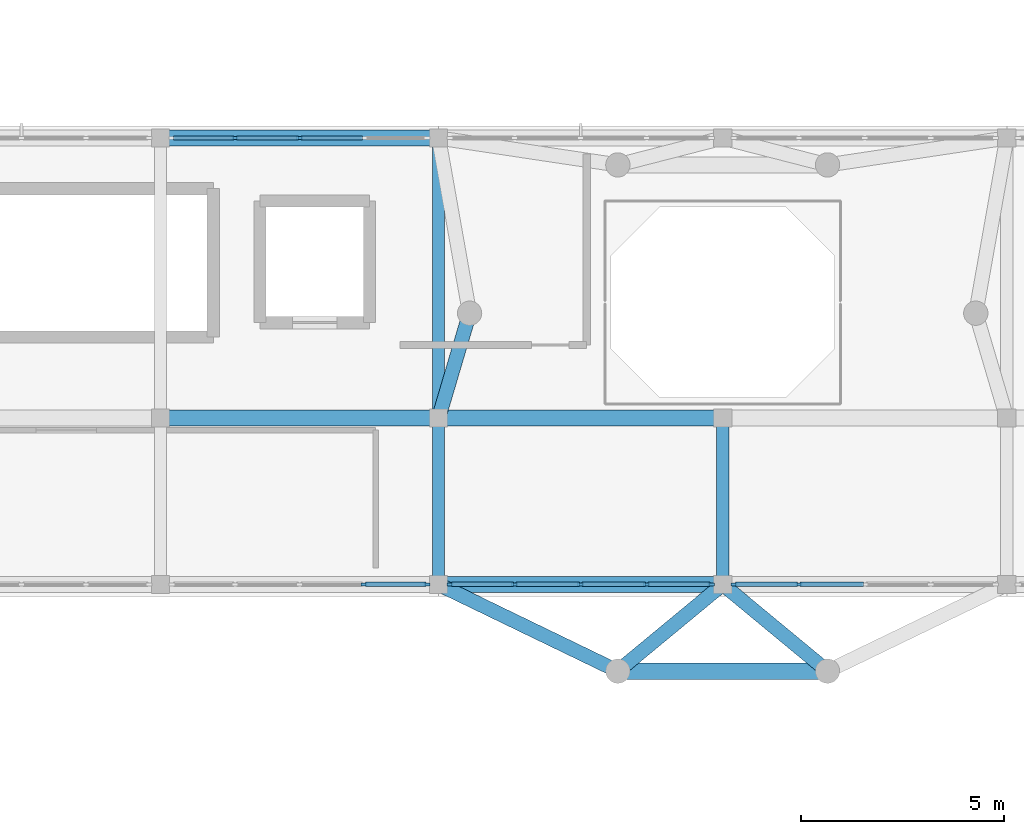
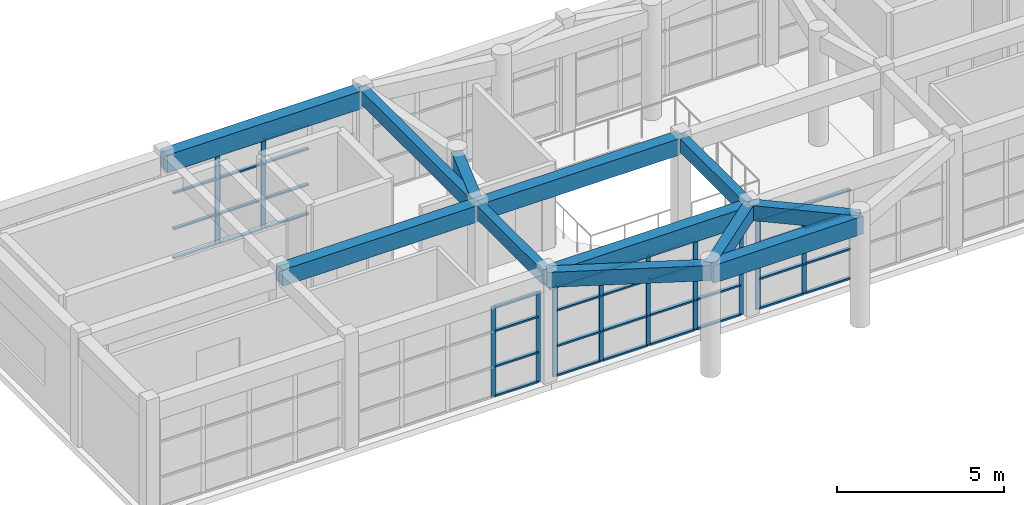
# One storey, part 5 of 66: 51 members, 12 beams, 4 elements without a shape of their own.
"""IFC4 building model written with IfcOpenShell, lengths in metres."""

from ifc_helpers import new_model, si_unit, direction, frame, origin, origin_2d, place, context, subcontext, project, spatial, rectangle, extrude, material, layer, layer_set, material_profile, profile_set, type_object, element, aggregate, save


model = new_model("IFC4")

# Units and contexts
model_context = context("Model", 3, precision=1e-05, world=origin(), true_north=direction((0.0, 1.0)))
body_context = subcontext(model_context, "Body", "Model", "MODEL_VIEW")
ifc_project = project(units=[si_unit("LENGTHUNIT", "METRE"), si_unit("AREAUNIT", "SQUARE_METRE"), si_unit("VOLUMEUNIT", "CUBIC_METRE"), si_unit("PLANEANGLEUNIT", "RADIAN"), si_unit("MASSUNIT", "GRAM", prefix="KILO")], contexts=[model_context])

# Site, building, storey
site_placement = place(None, origin())
site = spatial("IfcSite", under=ifc_project, at=site_placement, CompositionType="ELEMENT")
building_placement = place(site_placement, origin())
building = spatial("IfcBuilding", under=site, at=building_placement, Name="Candilejo Ridge Gondola Terminal", CompositionType="ELEMENT")
storey_placement = place(building_placement, frame((0.0, 0.0, 14.39990234375)))
storey = spatial("IfcBuildingStorey", under=building, at=storey_placement, Name="L03", CompositionType="ELEMENT", Elevation=14.39990234375)

# Curtain wall, members
ifc_material_1 = material(Name="Anodised aluminium AA 6063-T6", Category="aluminium")
ifc_layer_1 = layer(ifc_material_1, 0.169921875)
ifc_layer_set_1 = layer_set([ifc_layer_1], Name="ARC-CW-DRUM-3400-635X329")
curtain_wall_type_1 = type_object("IfcCurtainWallType", Name="ARC-CW-DRUM-3400-635X329", PredefinedType="NOTDEFINED", material=ifc_layer_set_1)
curtain_wall_1_placement = place(storey_placement, origin())
curtain_wall_1 = element("IfcCurtainWall", 1, at=curtain_wall_1_placement, inside=storey, type_object=curtain_wall_type_1, Name="Curtain wall V2 L03-060", PredefinedType="NOTDEFINED")
ifc_material_2 = material(Name="Anodised aluminium AA 6063-T6", Category="aluminium")
ifc_material_profile_1 = material_profile(ifc_material_2, rectangle(XDim=0.06494140625, YDim=0.14990234375, at=origin_2d()))
ifc_profile_set_1 = profile_set([ifc_material_profile_1], Name="Anodised aluminium AA 6063-T6")
member_type_1 = type_object("IfcMemberType", Name="ARC-CW-MULLION-150", PredefinedType="MULLION", material=ifc_profile_set_1)
member_1_placement = place(storey_placement, frame((53.33740234375, 36.699951171875, 0.0), z_axis=(0.0, 0.0, 1.0), x_axis=(0.0, 1.0, 0.0)))
member_1 = element("IfcMember", 2, at=member_1_placement, type_object=member_type_1, Name="CW-63X32 mullion 2", PredefinedType="MULLION", context=body_context, shape_type="SweptSolid", body=[
    extrude(rectangle(XDim=0.06494140625, YDim=0.14990234375, at=origin_2d()), origin(), (0.0, 0.0, 1.0), 3.2900390625),
])
member_2_placement = place(storey_placement, frame((54.925048828125, 36.699951171875, 0.0), z_axis=(0.0, 0.0, 1.0), x_axis=(0.0, 1.0, 0.0)))
member_2 = element("IfcMember", 3, at=member_2_placement, type_object=member_type_1, Name="CW-63X32 mullion 3", PredefinedType="MULLION", context=body_context, shape_type="SweptSolid", body=[
    extrude(rectangle(XDim=0.06494140625, YDim=0.14990234375, at=origin_2d()), origin(), (0.0, 0.0, 1.0), 3.2900390625),
])

curtain_wall_2_placement = place(storey_placement, origin())
curtain_wall_2 = element("IfcCurtainWall", 4, at=curtain_wall_2_placement, inside=storey, type_object=curtain_wall_type_1, Name="Curtain wall V2 L03-061", PredefinedType="NOTDEFINED")
member_3_placement = place(storey_placement, frame((56.512451171875, 25.699951171875, 0.0), z_axis=(0.0, 0.0, 1.0), x_axis=(0.0, 1.0, 0.0)))
member_3 = element("IfcMember", 5, at=member_3_placement, type_object=member_type_1, Name="CW-63X32 mullion 4", PredefinedType="MULLION", context=body_context, shape_type="SweptSolid", body=[
    extrude(rectangle(XDim=0.06494140625, YDim=0.14990234375, at=origin_2d()), origin(), (0.0, 0.0, 1.0), 3.2900390625),
])
member_4_placement = place(storey_placement, frame((58.0673828125, 25.699951171875, 0.0), z_axis=(0.0, 0.0, 1.0), x_axis=(0.0, 1.0, 0.0)))
member_4 = element("IfcMember", 6, at=member_4_placement, type_object=member_type_1, Name="CW-63X32 mullion 5", PredefinedType="MULLION", context=body_context, shape_type="SweptSolid", body=[
    extrude(rectangle(XDim=0.06494140625, YDim=0.14990234375, at=origin_2d()), origin(), (0.0, 0.0, 1.0), 3.2900390625),
])

ifc_material_3 = material(Name="Anodised aluminium AA 6063-T6", Category="aluminium")
ifc_layer_2 = layer(ifc_material_3, 0.169921875)
ifc_layer_set_2 = layer_set([ifc_layer_2], Name="ARC-CW-DRUM-3400-650X329")
curtain_wall_type_2 = type_object("IfcCurtainWallType", Name="ARC-CW-DRUM-3400-650X329", PredefinedType="NOTDEFINED", material=ifc_layer_set_2)
curtain_wall_3_placement = place(storey_placement, origin())
curtain_wall_3 = element("IfcCurtainWall", 7, at=curtain_wall_3_placement, inside=storey, type_object=curtain_wall_type_2, Name="Curtain wall V2 L03-063", PredefinedType="NOTDEFINED")
member_5_placement = place(storey_placement, frame((58.632568359375, 25.699951171875, 0.0), z_axis=(0.0, 0.0, 1.0), x_axis=(0.0, 1.0, 0.0)))
member_5 = element("IfcMember", 8, at=member_5_placement, type_object=member_type_1, Name="CW-65X32 mullion 1", PredefinedType="MULLION", context=body_context, shape_type="SweptSolid", body=[
    extrude(rectangle(XDim=0.06494140625, YDim=0.14990234375, at=origin_2d()), origin(), (0.0, 0.0, 1.0), 3.2900390625),
])
member_6_placement = place(storey_placement, frame((60.22509765625, 25.699951171875, 0.0), z_axis=(0.0, 0.0, 1.0), x_axis=(0.0, 1.0, 0.0)))
member_6 = element("IfcMember", 9, at=member_6_placement, type_object=member_type_1, Name="CW-65X32 mullion 2", PredefinedType="MULLION", context=body_context, shape_type="SweptSolid", body=[
    extrude(rectangle(XDim=0.06494140625, YDim=0.14990234375, at=origin_2d()), origin(), (0.0, 0.0, 1.0), 3.2900390625),
])
member_7_placement = place(storey_placement, frame((61.85009765625, 25.699951171875, 0.0), z_axis=(0.0, 0.0, 1.0), x_axis=(0.0, 1.0, 0.0)))
member_7 = element("IfcMember", 10, at=member_7_placement, type_object=member_type_1, Name="CW-65X32 mullion 3", PredefinedType="MULLION", context=body_context, shape_type="SweptSolid", body=[
    extrude(rectangle(XDim=0.06494140625, YDim=0.14990234375, at=origin_2d()), origin(), (0.0, 0.0, 1.0), 3.2900390625),
])
member_8_placement = place(storey_placement, frame((63.47509765625, 25.699951171875, 0.0), z_axis=(0.0, 0.0, 1.0), x_axis=(0.0, 1.0, 0.0)))
member_8 = element("IfcMember", 11, at=member_8_placement, type_object=member_type_1, Name="CW-65X32 mullion 4", PredefinedType="MULLION", context=body_context, shape_type="SweptSolid", body=[
    extrude(rectangle(XDim=0.06494140625, YDim=0.14990234375, at=origin_2d()), origin(), (0.0, 0.0, 1.0), 3.2900390625),
])
member_9_placement = place(storey_placement, frame((65.0673828125, 25.699951171875, 0.0), z_axis=(0.0, 0.0, 1.0), x_axis=(0.0, 1.0, 0.0)))
member_9 = element("IfcMember", 12, at=member_9_placement, type_object=member_type_1, Name="CW-65X32 mullion 5", PredefinedType="MULLION", context=body_context, shape_type="SweptSolid", body=[
    extrude(rectangle(XDim=0.06494140625, YDim=0.14990234375, at=origin_2d()), origin(), (0.0, 0.0, 1.0), 3.2900390625),
])

curtain_wall_4_placement = place(storey_placement, origin())
curtain_wall_4 = element("IfcCurtainWall", 13, at=curtain_wall_4_placement, inside=storey, type_object=curtain_wall_type_2, Name="Curtain wall V2 L03-065", PredefinedType="NOTDEFINED")
member_10_placement = place(storey_placement, frame((65.632568359375, 25.699951171875, 0.0), z_axis=(0.0, 0.0, 1.0), x_axis=(0.0, 1.0, 0.0)))
member_10 = element("IfcMember", 14, at=member_10_placement, type_object=member_type_1, Name="CW-65X32 mullion 1", PredefinedType="MULLION", context=body_context, shape_type="SweptSolid", body=[
    extrude(rectangle(XDim=0.06494140625, YDim=0.14990234375, at=origin_2d()), origin(), (0.0, 0.0, 1.0), 3.2900390625),
])
member_11_placement = place(storey_placement, frame((67.22509765625, 25.699951171875, 0.0), z_axis=(0.0, 0.0, 1.0), x_axis=(0.0, 1.0, 0.0)))
member_11 = element("IfcMember", 15, at=member_11_placement, type_object=member_type_1, Name="CW-65X32 mullion 2", PredefinedType="MULLION", context=body_context, shape_type="SweptSolid", body=[
    extrude(rectangle(XDim=0.06494140625, YDim=0.14990234375, at=origin_2d()), origin(), (0.0, 0.0, 1.0), 3.2900390625),
])

# Member
ifc_material_4 = material(Name="Anodised aluminium AA 6063-T6", Category="aluminium")
ifc_material_profile_2 = material_profile(ifc_material_4, rectangle(XDim=0.110107421875, YDim=0.06005859375, at=origin_2d()))
ifc_profile_set_2 = profile_set([ifc_material_profile_2], Name="Anodised aluminium AA 6063-T6")
member_type_2 = type_object("IfcMemberType", Name="ARC-CW-TRANSOM-110", PredefinedType="USERDEFINED", material=ifc_profile_set_2)
member_12_placement = place(storey_placement, frame((51.81494140625, 36.699951171875, 0.030029296875), z_axis=(1.0, 0.0, 0.0), x_axis=(0.0, 1.0, 0.0)))
member_12 = element("IfcMember", 16, at=member_12_placement, type_object=member_type_2, Name="CW-63X32 transom 1.1", ObjectType="TRANSOM", PredefinedType="USERDEFINED", context=body_context, shape_type="SweptSolid", body=[
    extrude(rectangle(XDim=0.110107421875, YDim=0.06005859375, at=origin_2d()), origin(), (0.0, 0.0, 1.0), 1.489990234375),
])

member_13_placement = place(storey_placement, frame((51.81494140625, 36.699951171875, 1.10009765625), z_axis=(1.0, 0.0, 0.0), x_axis=(0.0, 1.0, 0.0)))
member_13 = element("IfcMember", 17, at=member_13_placement, type_object=member_type_2, Name="CW-63X32 transom 1.2", ObjectType="TRANSOM", PredefinedType="USERDEFINED", context=body_context, shape_type="SweptSolid", body=[
    extrude(rectangle(XDim=0.110107421875, YDim=0.06005859375, at=origin_2d()), origin(), (0.0, 0.0, 1.0), 1.489990234375),
])

member_14_placement = place(storey_placement, frame((51.81494140625, 36.699951171875, 2.400146484375), z_axis=(1.0, 0.0, 0.0), x_axis=(0.0, 1.0, 0.0)))
member_14 = element("IfcMember", 18, at=member_14_placement, type_object=member_type_2, Name="CW-63X32 transom 1.3", ObjectType="TRANSOM", PredefinedType="USERDEFINED", context=body_context, shape_type="SweptSolid", body=[
    extrude(rectangle(XDim=0.110107421875, YDim=0.06005859375, at=origin_2d()), origin(), (0.0, 0.0, 1.0), 1.489990234375),
])

member_15_placement = place(storey_placement, frame((51.81494140625, 36.699951171875, 3.260009765625), z_axis=(1.0, 0.0, 0.0), x_axis=(0.0, 1.0, 0.0)))
member_15 = element("IfcMember", 19, at=member_15_placement, type_object=member_type_2, Name="CW-63X32 transom 1.4", ObjectType="TRANSOM", PredefinedType="USERDEFINED", context=body_context, shape_type="SweptSolid", body=[
    extrude(rectangle(XDim=0.110107421875, YDim=0.06005859375, at=origin_2d()), origin(), (0.0, 0.0, 1.0), 1.489990234375),
])

member_16_placement = place(storey_placement, frame((53.3701171875, 36.699951171875, 0.030029296875), z_axis=(1.0, 0.0, 0.0), x_axis=(0.0, 1.0, 0.0)))
member_16 = element("IfcMember", 20, at=member_16_placement, type_object=member_type_2, Name="CW-63X32 transom 2.1", ObjectType="TRANSOM", PredefinedType="USERDEFINED", context=body_context, shape_type="SweptSolid", body=[
    extrude(rectangle(XDim=0.110107421875, YDim=0.06005859375, at=origin_2d()), origin(), (0.0, 0.0, 1.0), 1.5224609375),
])

member_17_placement = place(storey_placement, frame((53.3701171875, 36.699951171875, 1.10009765625), z_axis=(1.0, 0.0, 0.0), x_axis=(0.0, 1.0, 0.0)))
member_17 = element("IfcMember", 21, at=member_17_placement, type_object=member_type_2, Name="CW-63X32 transom 2.2", ObjectType="TRANSOM", PredefinedType="USERDEFINED", context=body_context, shape_type="SweptSolid", body=[
    extrude(rectangle(XDim=0.110107421875, YDim=0.06005859375, at=origin_2d()), origin(), (0.0, 0.0, 1.0), 1.5224609375),
])

member_18_placement = place(storey_placement, frame((53.3701171875, 36.699951171875, 2.400146484375), z_axis=(1.0, 0.0, 0.0), x_axis=(0.0, 1.0, 0.0)))
member_18 = element("IfcMember", 22, at=member_18_placement, type_object=member_type_2, Name="CW-63X32 transom 2.3", ObjectType="TRANSOM", PredefinedType="USERDEFINED", context=body_context, shape_type="SweptSolid", body=[
    extrude(rectangle(XDim=0.110107421875, YDim=0.06005859375, at=origin_2d()), origin(), (0.0, 0.0, 1.0), 1.5224609375),
])

member_19_placement = place(storey_placement, frame((53.3701171875, 36.699951171875, 3.260009765625), z_axis=(1.0, 0.0, 0.0), x_axis=(0.0, 1.0, 0.0)))
member_19 = element("IfcMember", 23, at=member_19_placement, type_object=member_type_2, Name="CW-63X32 transom 2.4", ObjectType="TRANSOM", PredefinedType="USERDEFINED", context=body_context, shape_type="SweptSolid", body=[
    extrude(rectangle(XDim=0.110107421875, YDim=0.06005859375, at=origin_2d()), origin(), (0.0, 0.0, 1.0), 1.5224609375),
])

member_20_placement = place(storey_placement, frame((54.95751953125, 36.699951171875, 0.030029296875), z_axis=(1.0, 0.0, 0.0), x_axis=(0.0, 1.0, 0.0)))
member_20 = element("IfcMember", 24, at=member_20_placement, type_object=member_type_2, Name="CW-63X32 transom 3.1", ObjectType="TRANSOM", PredefinedType="USERDEFINED", context=body_context, shape_type="SweptSolid", body=[
    extrude(rectangle(XDim=0.110107421875, YDim=0.06005859375, at=origin_2d()), origin(), (0.0, 0.0, 1.0), 1.5224609375),
])

member_21_placement = place(storey_placement, frame((54.95751953125, 36.699951171875, 1.10009765625), z_axis=(1.0, 0.0, 0.0), x_axis=(0.0, 1.0, 0.0)))
member_21 = element("IfcMember", 25, at=member_21_placement, type_object=member_type_2, Name="CW-63X32 transom 3.2", ObjectType="TRANSOM", PredefinedType="USERDEFINED", context=body_context, shape_type="SweptSolid", body=[
    extrude(rectangle(XDim=0.110107421875, YDim=0.06005859375, at=origin_2d()), origin(), (0.0, 0.0, 1.0), 1.5224609375),
])

member_22_placement = place(storey_placement, frame((54.95751953125, 36.699951171875, 2.400146484375), z_axis=(1.0, 0.0, 0.0), x_axis=(0.0, 1.0, 0.0)))
member_22 = element("IfcMember", 26, at=member_22_placement, type_object=member_type_2, Name="CW-63X32 transom 3.3", ObjectType="TRANSOM", PredefinedType="USERDEFINED", context=body_context, shape_type="SweptSolid", body=[
    extrude(rectangle(XDim=0.110107421875, YDim=0.06005859375, at=origin_2d()), origin(), (0.0, 0.0, 1.0), 1.5224609375),
])

member_23_placement = place(storey_placement, frame((54.95751953125, 36.699951171875, 3.260009765625), z_axis=(1.0, 0.0, 0.0), x_axis=(0.0, 1.0, 0.0)))
member_23 = element("IfcMember", 27, at=member_23_placement, type_object=member_type_2, Name="CW-63X32 transom 3.4", ObjectType="TRANSOM", PredefinedType="USERDEFINED", context=body_context, shape_type="SweptSolid", body=[
    extrude(rectangle(XDim=0.110107421875, YDim=0.06005859375, at=origin_2d()), origin(), (0.0, 0.0, 1.0), 1.5224609375),
])

aggregate(curtain_wall_1, [member_1, member_2, member_12, member_13, member_14, member_15, member_16, member_17, member_18, member_19, member_20, member_21, member_22, member_23])

member_24_placement = place(storey_placement, frame((56.544921875, 25.699951171875, 0.030029296875), z_axis=(1.0, 0.0, 0.0), x_axis=(0.0, 1.0, 0.0)))
member_24 = element("IfcMember", 28, at=member_24_placement, type_object=member_type_2, Name="CW-63X32 transom 4.1", ObjectType="TRANSOM", PredefinedType="USERDEFINED", context=body_context, shape_type="SweptSolid", body=[
    extrude(rectangle(XDim=0.110107421875, YDim=0.06005859375, at=origin_2d()), origin(), (0.0, 0.0, 1.0), 1.489990234375),
])

member_25_placement = place(storey_placement, frame((56.544921875, 25.699951171875, 1.10009765625), z_axis=(1.0, 0.0, 0.0), x_axis=(0.0, 1.0, 0.0)))
member_25 = element("IfcMember", 29, at=member_25_placement, type_object=member_type_2, Name="CW-63X32 transom 4.2", ObjectType="TRANSOM", PredefinedType="USERDEFINED", context=body_context, shape_type="SweptSolid", body=[
    extrude(rectangle(XDim=0.110107421875, YDim=0.06005859375, at=origin_2d()), origin(), (0.0, 0.0, 1.0), 1.489990234375),
])

member_26_placement = place(storey_placement, frame((56.544921875, 25.699951171875, 2.400146484375), z_axis=(1.0, 0.0, 0.0), x_axis=(0.0, 1.0, 0.0)))
member_26 = element("IfcMember", 30, at=member_26_placement, type_object=member_type_2, Name="CW-63X32 transom 4.3", ObjectType="TRANSOM", PredefinedType="USERDEFINED", context=body_context, shape_type="SweptSolid", body=[
    extrude(rectangle(XDim=0.110107421875, YDim=0.06005859375, at=origin_2d()), origin(), (0.0, 0.0, 1.0), 1.489990234375),
])

member_27_placement = place(storey_placement, frame((56.544921875, 25.699951171875, 3.260009765625), z_axis=(1.0, 0.0, 0.0), x_axis=(0.0, 1.0, 0.0)))
member_27 = element("IfcMember", 31, at=member_27_placement, type_object=member_type_2, Name="CW-63X32 transom 4.4", ObjectType="TRANSOM", PredefinedType="USERDEFINED", context=body_context, shape_type="SweptSolid", body=[
    extrude(rectangle(XDim=0.110107421875, YDim=0.06005859375, at=origin_2d()), origin(), (0.0, 0.0, 1.0), 1.489990234375),
])

aggregate(curtain_wall_2, [member_3, member_4, member_24, member_25, member_26, member_27])

member_28_placement = place(storey_placement, frame((58.6650390625, 25.699951171875, 0.030029296875), z_axis=(1.0, 0.0, 0.0), x_axis=(0.0, 1.0, 0.0)))
member_28 = element("IfcMember", 32, at=member_28_placement, type_object=member_type_2, Name="CW-65X32 transom 1.1", ObjectType="TRANSOM", PredefinedType="USERDEFINED", context=body_context, shape_type="SweptSolid", body=[
    extrude(rectangle(XDim=0.110107421875, YDim=0.06005859375, at=origin_2d()), origin(), (0.0, 0.0, 1.0), 1.52734375),
])

member_29_placement = place(storey_placement, frame((58.6650390625, 25.699951171875, 1.10009765625), z_axis=(1.0, 0.0, 0.0), x_axis=(0.0, 1.0, 0.0)))
member_29 = element("IfcMember", 33, at=member_29_placement, type_object=member_type_2, Name="CW-65X32 transom 1.2", ObjectType="TRANSOM", PredefinedType="USERDEFINED", context=body_context, shape_type="SweptSolid", body=[
    extrude(rectangle(XDim=0.110107421875, YDim=0.06005859375, at=origin_2d()), origin(), (0.0, 0.0, 1.0), 1.52734375),
])

member_30_placement = place(storey_placement, frame((58.6650390625, 25.699951171875, 2.400146484375), z_axis=(1.0, 0.0, 0.0), x_axis=(0.0, 1.0, 0.0)))
member_30 = element("IfcMember", 34, at=member_30_placement, type_object=member_type_2, Name="CW-65X32 transom 1.3", ObjectType="TRANSOM", PredefinedType="USERDEFINED", context=body_context, shape_type="SweptSolid", body=[
    extrude(rectangle(XDim=0.110107421875, YDim=0.06005859375, at=origin_2d()), origin(), (0.0, 0.0, 1.0), 1.52734375),
])

member_31_placement = place(storey_placement, frame((58.6650390625, 25.699951171875, 3.260009765625), z_axis=(1.0, 0.0, 0.0), x_axis=(0.0, 1.0, 0.0)))
member_31 = element("IfcMember", 35, at=member_31_placement, type_object=member_type_2, Name="CW-65X32 transom 1.4", ObjectType="TRANSOM", PredefinedType="USERDEFINED", context=body_context, shape_type="SweptSolid", body=[
    extrude(rectangle(XDim=0.110107421875, YDim=0.06005859375, at=origin_2d()), origin(), (0.0, 0.0, 1.0), 1.52734375),
])

member_32_placement = place(storey_placement, frame((60.257568359375, 25.699951171875, 0.030029296875), z_axis=(1.0, 0.0, 0.0), x_axis=(0.0, 1.0, 0.0)))
member_32 = element("IfcMember", 36, at=member_32_placement, type_object=member_type_2, Name="CW-65X32 transom 2.1", ObjectType="TRANSOM", PredefinedType="USERDEFINED", context=body_context, shape_type="SweptSolid", body=[
    extrude(rectangle(XDim=0.110107421875, YDim=0.06005859375, at=origin_2d()), origin(), (0.0, 0.0, 1.0), 1.559814453125),
])

member_33_placement = place(storey_placement, frame((60.257568359375, 25.699951171875, 1.10009765625), z_axis=(1.0, 0.0, 0.0), x_axis=(0.0, 1.0, 0.0)))
member_33 = element("IfcMember", 37, at=member_33_placement, type_object=member_type_2, Name="CW-65X32 transom 2.2", ObjectType="TRANSOM", PredefinedType="USERDEFINED", context=body_context, shape_type="SweptSolid", body=[
    extrude(rectangle(XDim=0.110107421875, YDim=0.06005859375, at=origin_2d()), origin(), (0.0, 0.0, 1.0), 1.559814453125),
])

member_34_placement = place(storey_placement, frame((60.257568359375, 25.699951171875, 2.400146484375), z_axis=(1.0, 0.0, 0.0), x_axis=(0.0, 1.0, 0.0)))
member_34 = element("IfcMember", 38, at=member_34_placement, type_object=member_type_2, Name="CW-65X32 transom 2.3", ObjectType="TRANSOM", PredefinedType="USERDEFINED", context=body_context, shape_type="SweptSolid", body=[
    extrude(rectangle(XDim=0.110107421875, YDim=0.06005859375, at=origin_2d()), origin(), (0.0, 0.0, 1.0), 1.559814453125),
])

member_35_placement = place(storey_placement, frame((60.257568359375, 25.699951171875, 3.260009765625), z_axis=(1.0, 0.0, 0.0), x_axis=(0.0, 1.0, 0.0)))
member_35 = element("IfcMember", 39, at=member_35_placement, type_object=member_type_2, Name="CW-65X32 transom 2.4", ObjectType="TRANSOM", PredefinedType="USERDEFINED", context=body_context, shape_type="SweptSolid", body=[
    extrude(rectangle(XDim=0.110107421875, YDim=0.06005859375, at=origin_2d()), origin(), (0.0, 0.0, 1.0), 1.559814453125),
])

member_36_placement = place(storey_placement, frame((61.882568359375, 25.699951171875, 0.030029296875), z_axis=(1.0, 0.0, 0.0), x_axis=(0.0, 1.0, 0.0)))
member_36 = element("IfcMember", 40, at=member_36_placement, type_object=member_type_2, Name="CW-65X32 transom 3.1", ObjectType="TRANSOM", PredefinedType="USERDEFINED", context=body_context, shape_type="SweptSolid", body=[
    extrude(rectangle(XDim=0.110107421875, YDim=0.06005859375, at=origin_2d()), origin(), (0.0, 0.0, 1.0), 1.559814453125),
])

member_37_placement = place(storey_placement, frame((61.882568359375, 25.699951171875, 1.10009765625), z_axis=(1.0, 0.0, 0.0), x_axis=(0.0, 1.0, 0.0)))
member_37 = element("IfcMember", 41, at=member_37_placement, type_object=member_type_2, Name="CW-65X32 transom 3.2", ObjectType="TRANSOM", PredefinedType="USERDEFINED", context=body_context, shape_type="SweptSolid", body=[
    extrude(rectangle(XDim=0.110107421875, YDim=0.06005859375, at=origin_2d()), origin(), (0.0, 0.0, 1.0), 1.559814453125),
])

member_38_placement = place(storey_placement, frame((61.882568359375, 25.699951171875, 2.400146484375), z_axis=(1.0, 0.0, 0.0), x_axis=(0.0, 1.0, 0.0)))
member_38 = element("IfcMember", 42, at=member_38_placement, type_object=member_type_2, Name="CW-65X32 transom 3.3", ObjectType="TRANSOM", PredefinedType="USERDEFINED", context=body_context, shape_type="SweptSolid", body=[
    extrude(rectangle(XDim=0.110107421875, YDim=0.06005859375, at=origin_2d()), origin(), (0.0, 0.0, 1.0), 1.559814453125),
])

member_39_placement = place(storey_placement, frame((61.882568359375, 25.699951171875, 3.260009765625), z_axis=(1.0, 0.0, 0.0), x_axis=(0.0, 1.0, 0.0)))
member_39 = element("IfcMember", 43, at=member_39_placement, type_object=member_type_2, Name="CW-65X32 transom 3.4", ObjectType="TRANSOM", PredefinedType="USERDEFINED", context=body_context, shape_type="SweptSolid", body=[
    extrude(rectangle(XDim=0.110107421875, YDim=0.06005859375, at=origin_2d()), origin(), (0.0, 0.0, 1.0), 1.559814453125),
])

member_40_placement = place(storey_placement, frame((63.507568359375, 25.699951171875, 0.030029296875), z_axis=(1.0, 0.0, 0.0), x_axis=(0.0, 1.0, 0.0)))
member_40 = element("IfcMember", 44, at=member_40_placement, type_object=member_type_2, Name="CW-65X32 transom 4.1", ObjectType="TRANSOM", PredefinedType="USERDEFINED", context=body_context, shape_type="SweptSolid", body=[
    extrude(rectangle(XDim=0.110107421875, YDim=0.06005859375, at=origin_2d()), origin(), (0.0, 0.0, 1.0), 1.52734375),
])

member_41_placement = place(storey_placement, frame((63.507568359375, 25.699951171875, 1.10009765625), z_axis=(1.0, 0.0, 0.0), x_axis=(0.0, 1.0, 0.0)))
member_41 = element("IfcMember", 45, at=member_41_placement, type_object=member_type_2, Name="CW-65X32 transom 4.2", ObjectType="TRANSOM", PredefinedType="USERDEFINED", context=body_context, shape_type="SweptSolid", body=[
    extrude(rectangle(XDim=0.110107421875, YDim=0.06005859375, at=origin_2d()), origin(), (0.0, 0.0, 1.0), 1.52734375),
])

member_42_placement = place(storey_placement, frame((63.507568359375, 25.699951171875, 2.400146484375), z_axis=(1.0, 0.0, 0.0), x_axis=(0.0, 1.0, 0.0)))
member_42 = element("IfcMember", 46, at=member_42_placement, type_object=member_type_2, Name="CW-65X32 transom 4.3", ObjectType="TRANSOM", PredefinedType="USERDEFINED", context=body_context, shape_type="SweptSolid", body=[
    extrude(rectangle(XDim=0.110107421875, YDim=0.06005859375, at=origin_2d()), origin(), (0.0, 0.0, 1.0), 1.52734375),
])

member_43_placement = place(storey_placement, frame((63.507568359375, 25.699951171875, 3.260009765625), z_axis=(1.0, 0.0, 0.0), x_axis=(0.0, 1.0, 0.0)))
member_43 = element("IfcMember", 47, at=member_43_placement, type_object=member_type_2, Name="CW-65X32 transom 4.4", ObjectType="TRANSOM", PredefinedType="USERDEFINED", context=body_context, shape_type="SweptSolid", body=[
    extrude(rectangle(XDim=0.110107421875, YDim=0.06005859375, at=origin_2d()), origin(), (0.0, 0.0, 1.0), 1.52734375),
])

aggregate(curtain_wall_3, [member_5, member_6, member_7, member_8, member_9, member_28, member_29, member_30, member_31, member_32, member_33, member_34, member_35, member_36, member_37, member_38, member_39, member_40, member_41, member_42, member_43])

member_44_placement = place(storey_placement, frame((65.6650390625, 25.699951171875, 0.030029296875), z_axis=(1.0, 0.0, 0.0), x_axis=(0.0, 1.0, 0.0)))
member_44 = element("IfcMember", 48, at=member_44_placement, type_object=member_type_2, Name="CW-65X32 transom 1.1", ObjectType="TRANSOM", PredefinedType="USERDEFINED", context=body_context, shape_type="SweptSolid", body=[
    extrude(rectangle(XDim=0.110107421875, YDim=0.06005859375, at=origin_2d()), origin(), (0.0, 0.0, 1.0), 1.52734375),
])

member_45_placement = place(storey_placement, frame((65.6650390625, 25.699951171875, 1.10009765625), z_axis=(1.0, 0.0, 0.0), x_axis=(0.0, 1.0, 0.0)))
member_45 = element("IfcMember", 49, at=member_45_placement, type_object=member_type_2, Name="CW-65X32 transom 1.2", ObjectType="TRANSOM", PredefinedType="USERDEFINED", context=body_context, shape_type="SweptSolid", body=[
    extrude(rectangle(XDim=0.110107421875, YDim=0.06005859375, at=origin_2d()), origin(), (0.0, 0.0, 1.0), 1.52734375),
])

member_46_placement = place(storey_placement, frame((65.6650390625, 25.699951171875, 2.400146484375), z_axis=(1.0, 0.0, 0.0), x_axis=(0.0, 1.0, 0.0)))
member_46 = element("IfcMember", 50, at=member_46_placement, type_object=member_type_2, Name="CW-65X32 transom 1.3", ObjectType="TRANSOM", PredefinedType="USERDEFINED", context=body_context, shape_type="SweptSolid", body=[
    extrude(rectangle(XDim=0.110107421875, YDim=0.06005859375, at=origin_2d()), origin(), (0.0, 0.0, 1.0), 1.52734375),
])

member_47_placement = place(storey_placement, frame((65.6650390625, 25.699951171875, 3.260009765625), z_axis=(1.0, 0.0, 0.0), x_axis=(0.0, 1.0, 0.0)))
member_47 = element("IfcMember", 51, at=member_47_placement, type_object=member_type_2, Name="CW-65X32 transom 1.4", ObjectType="TRANSOM", PredefinedType="USERDEFINED", context=body_context, shape_type="SweptSolid", body=[
    extrude(rectangle(XDim=0.110107421875, YDim=0.06005859375, at=origin_2d()), origin(), (0.0, 0.0, 1.0), 1.52734375),
])

member_48_placement = place(storey_placement, frame((67.257568359375, 25.699951171875, 0.030029296875), z_axis=(1.0, 0.0, 0.0), x_axis=(0.0, 1.0, 0.0)))
member_48 = element("IfcMember", 52, at=member_48_placement, type_object=member_type_2, Name="CW-65X32 transom 2.1", ObjectType="TRANSOM", PredefinedType="USERDEFINED", context=body_context, shape_type="SweptSolid", body=[
    extrude(rectangle(XDim=0.110107421875, YDim=0.06005859375, at=origin_2d()), origin(), (0.0, 0.0, 1.0), 1.559814453125),
])

member_49_placement = place(storey_placement, frame((67.257568359375, 25.699951171875, 1.10009765625), z_axis=(1.0, 0.0, 0.0), x_axis=(0.0, 1.0, 0.0)))
member_49 = element("IfcMember", 53, at=member_49_placement, type_object=member_type_2, Name="CW-65X32 transom 2.2", ObjectType="TRANSOM", PredefinedType="USERDEFINED", context=body_context, shape_type="SweptSolid", body=[
    extrude(rectangle(XDim=0.110107421875, YDim=0.06005859375, at=origin_2d()), origin(), (0.0, 0.0, 1.0), 1.559814453125),
])

member_50_placement = place(storey_placement, frame((67.257568359375, 25.699951171875, 2.400146484375), z_axis=(1.0, 0.0, 0.0), x_axis=(0.0, 1.0, 0.0)))
member_50 = element("IfcMember", 54, at=member_50_placement, type_object=member_type_2, Name="CW-65X32 transom 2.3", ObjectType="TRANSOM", PredefinedType="USERDEFINED", context=body_context, shape_type="SweptSolid", body=[
    extrude(rectangle(XDim=0.110107421875, YDim=0.06005859375, at=origin_2d()), origin(), (0.0, 0.0, 1.0), 1.559814453125),
])

member_51_placement = place(storey_placement, frame((67.257568359375, 25.699951171875, 3.260009765625), z_axis=(1.0, 0.0, 0.0), x_axis=(0.0, 1.0, 0.0)))
member_51 = element("IfcMember", 55, at=member_51_placement, type_object=member_type_2, Name="CW-65X32 transom 2.4", ObjectType="TRANSOM", PredefinedType="USERDEFINED", context=body_context, shape_type="SweptSolid", body=[
    extrude(rectangle(XDim=0.110107421875, YDim=0.06005859375, at=origin_2d()), origin(), (0.0, 0.0, 1.0), 1.559814453125),
])

aggregate(curtain_wall_4, [member_10, member_11, member_44, member_45, member_46, member_47, member_48, member_49, member_50, member_51])

# Beams
ifc_material_5 = material(Name="Concrete f'c 35 MPa (C35/45)", Category="concrete")
ifc_material_profile_3 = material_profile(ifc_material_5, rectangle(XDim=0.300048828125, YDim=0.5, at=origin_2d()))
ifc_profile_set_3 = profile_set([ifc_material_profile_3], Name="Concrete f'c 35 MPa (C35/45)")
beam_type_1 = type_object("IfcBeamType", Name="STR-BM-RC300X500", PredefinedType="BEAM", material=ifc_profile_set_3)
beam_1_placement = place(storey_placement, frame((58.35009765625, 25.699951171875, 3.75), z_axis=(0.0, 1.0, 0.0), x_axis=(-1.0, 0.0, 0.0)))
element("IfcBeam", 56, at=beam_1_placement, inside=storey, type_object=beam_type_1, Name="Beam Y V2 L03 Y05-Y06@X09", PredefinedType="BEAM", context=body_context, shape_type="SweptSolid", body=[
    extrude(rectangle(XDim=0.300048828125, YDim=0.5, at=origin_2d()), origin(), (0.0, 0.0, 1.0), 4.10009765625),
])
beam_2_placement = place(storey_placement, frame((58.35009765625, 29.800048828125, 3.75), z_axis=(0.0, 1.0, 0.0), x_axis=(-1.0, 0.0, 0.0)))
element("IfcBeam", 57, at=beam_2_placement, inside=storey, type_object=beam_type_1, Name="Beam Y V2 L03 Y06-Y07@X09", PredefinedType="BEAM", context=body_context, shape_type="SweptSolid", body=[
    extrude(rectangle(XDim=0.300048828125, YDim=0.5, at=origin_2d()), origin(), (0.0, 0.0, 1.0), 6.89990234375),
])
beam_3_placement = place(storey_placement, frame((65.35009765625, 25.699951171875, 3.75), z_axis=(0.0, 1.0, 0.0), x_axis=(-1.0, 0.0, 0.0)))
element("IfcBeam", 58, at=beam_3_placement, inside=storey, type_object=beam_type_1, Name="Beam Y V2 L03 Y05-Y06@X10", PredefinedType="BEAM", context=body_context, shape_type="SweptSolid", body=[
    extrude(rectangle(XDim=0.300048828125, YDim=0.5, at=origin_2d()), origin(), (0.0, 0.0, 1.0), 4.10009765625),
])
ifc_material_6 = material(Name="Concrete f'c 35 MPa (C35/45)", Category="concrete")
ifc_material_profile_4 = material_profile(ifc_material_6, rectangle(XDim=0.35009765625, YDim=0.550048828125, at=origin_2d()))
ifc_profile_set_4 = profile_set([ifc_material_profile_4], Name="Concrete f'c 35 MPa (C35/45)")
beam_type_2 = type_object("IfcBeamType", Name="STR-BM-RC350X550", PredefinedType="BEAM", material=ifc_profile_set_4)
beam_4_placement = place(storey_placement, frame((59.11376953125, 32.383056640625, 3.72509765625), z_axis=(-0.283520439807, -0.958966193466, 0.0), x_axis=(0.958966193466, -0.283520439807, 0.0)))
element("IfcBeam", 59, at=beam_4_placement, inside=storey, type_object=beam_type_2, Name="Rotunda radial tie beam L03 ROT4", PredefinedType="BEAM", context=body_context, shape_type="SweptSolid", body=[
    extrude(rectangle(XDim=0.35009765625, YDim=0.550048828125, at=origin_2d()), origin(), (0.0, 0.0, 1.0), 2.693603515625),
])
beam_5_placement = place(storey_placement, frame((62.766845703125, 23.563720703125, 3.72509765625), z_axis=(0.770633578777, 0.637278500548, 0.0), x_axis=(-0.637278500548, 0.770633578777, 0.0)))
element("IfcBeam", 60, at=beam_5_placement, inside=storey, type_object=beam_type_2, Name="Rotunda radial tie beam L03 ROT6", PredefinedType="BEAM", context=body_context, shape_type="SweptSolid", body=[
    extrude(rectangle(XDim=0.35009765625, YDim=0.550048828125, at=origin_2d()), origin(), (0.0, 0.0, 1.0), 3.35205078125),
])
beam_6_placement = place(storey_placement, frame((62.766845703125, 23.563720703125, 3.72509765625), z_axis=(-0.900231615241, 0.435411344501, 0.0), x_axis=(-0.435411344501, -0.900231615241, 0.0)))
element("IfcBeam", 61, at=beam_6_placement, inside=storey, type_object=beam_type_2, Name="Rotunda radial tie beam L03 ROT6", PredefinedType="BEAM", context=body_context, shape_type="SweptSolid", body=[
    extrude(rectangle(XDim=0.35009765625, YDim=0.550048828125, at=origin_2d()), origin(), (0.0, 0.0, 1.0), 4.90625),
])
beam_7_placement = place(storey_placement, frame((67.93310546875, 23.563720703125, 3.72509765625), z_axis=(-0.770603997541, 0.637314270178, 0.0), x_axis=(-0.637314270178, -0.770603997541, 0.0)))
element("IfcBeam", 62, at=beam_7_placement, inside=storey, type_object=beam_type_2, Name="Rotunda radial tie beam L03 ROT7", PredefinedType="BEAM", context=body_context, shape_type="SweptSolid", body=[
    extrude(rectangle(XDim=0.35009765625, YDim=0.550048828125, at=origin_2d()), origin(), (0.0, 0.0, 1.0), 3.351806640625),
])
ifc_material_7 = material(Name="Concrete f'c 35 MPa (C35/45)", Category="concrete")
ifc_material_profile_5 = material_profile(ifc_material_7, rectangle(XDim=0.39990234375, YDim=0.60009765625, at=origin_2d()))
ifc_profile_set_5 = profile_set([ifc_material_profile_5], Name="Concrete f'c 35 MPa (C35/45)")
beam_type_3 = type_object("IfcBeamType", Name="STR-BM-RC400X600", PredefinedType="BEAM", material=ifc_profile_set_5)
beam_8_placement = place(storey_placement, frame((51.5, 29.800048828125, 3.7001953125), z_axis=(1.0, 0.0, 0.0), x_axis=(0.0, 1.0, 0.0)))
element("IfcBeam", 63, at=beam_8_placement, inside=storey, type_object=beam_type_3, Name="Beam X V2 L03 X08-X09@Y06", PredefinedType="BEAM", context=body_context, shape_type="SweptSolid", body=[
    extrude(rectangle(XDim=0.39990234375, YDim=0.60009765625, at=origin_2d()), origin(), (0.0, 0.0, 1.0), 6.85009765625),
])
beam_9_placement = place(storey_placement, frame((58.35009765625, 29.800048828125, 3.7001953125), z_axis=(1.0, 0.0, 0.0), x_axis=(0.0, 1.0, 0.0)))
element("IfcBeam", 64, at=beam_9_placement, inside=storey, type_object=beam_type_3, Name="Beam X V2 L03 X09-X10@Y06", PredefinedType="BEAM", context=body_context, shape_type="SweptSolid", body=[
    extrude(rectangle(XDim=0.39990234375, YDim=0.60009765625, at=origin_2d()), origin(), (0.0, 0.0, 1.0), 7.0),
])
ifc_material_8 = material(Name="Concrete f'c 35 MPa (C35/45)", Category="concrete")
ifc_material_profile_6 = material_profile(ifc_material_8, rectangle(XDim=0.39990234375, YDim=0.64990234375, at=origin_2d()))
ifc_profile_set_6 = profile_set([ifc_material_profile_6], Name="Concrete f'c 35 MPa (C35/45)")
beam_type_4 = type_object("IfcBeamType", Name="STR-SPN-RC400X650", PredefinedType="SPANDREL", material=ifc_profile_set_6)
beam_10_placement = place(storey_placement, frame((58.35009765625, 25.699951171875, 3.675048828125), z_axis=(1.0, 0.0, 0.0), x_axis=(0.0, 1.0, 0.0)))
element("IfcBeam", 65, at=beam_10_placement, inside=storey, type_object=beam_type_4, Name="Beam X V2 L03 X09-X10@Y05", PredefinedType="SPANDREL", context=body_context, shape_type="SweptSolid", body=[
    extrude(rectangle(XDim=0.39990234375, YDim=0.64990234375, at=origin_2d()), origin(), (0.0, 0.0, 1.0), 7.0),
])
beam_11_placement = place(storey_placement, frame((51.5, 36.699951171875, 3.675048828125), z_axis=(1.0, 0.0, 0.0), x_axis=(0.0, 1.0, 0.0)))
element("IfcBeam", 66, at=beam_11_placement, inside=storey, type_object=beam_type_4, Name="Beam X V2 L03 X08-X09@Y07", PredefinedType="SPANDREL", context=body_context, shape_type="SweptSolid", body=[
    extrude(rectangle(XDim=0.39990234375, YDim=0.64990234375, at=origin_2d()), origin(), (0.0, 0.0, 1.0), 6.85009765625),
])
beam_12_placement = place(storey_placement, frame((62.766845703125, 23.563720703125, 3.675048828125), z_axis=(1.0, 0.0, 0.0), x_axis=(0.0, 1.0, 0.0)))
element("IfcBeam", 67, at=beam_12_placement, inside=storey, type_object=beam_type_4, Name="Rotunda ring beam L03 ROT6-ROT7", PredefinedType="SPANDREL", context=body_context, shape_type="SweptSolid", body=[
    extrude(rectangle(XDim=0.39990234375, YDim=0.64990234375, at=origin_2d()), origin(), (0.0, 0.0, 1.0), 5.166259765625),
])

save(model, "model.ifc")
